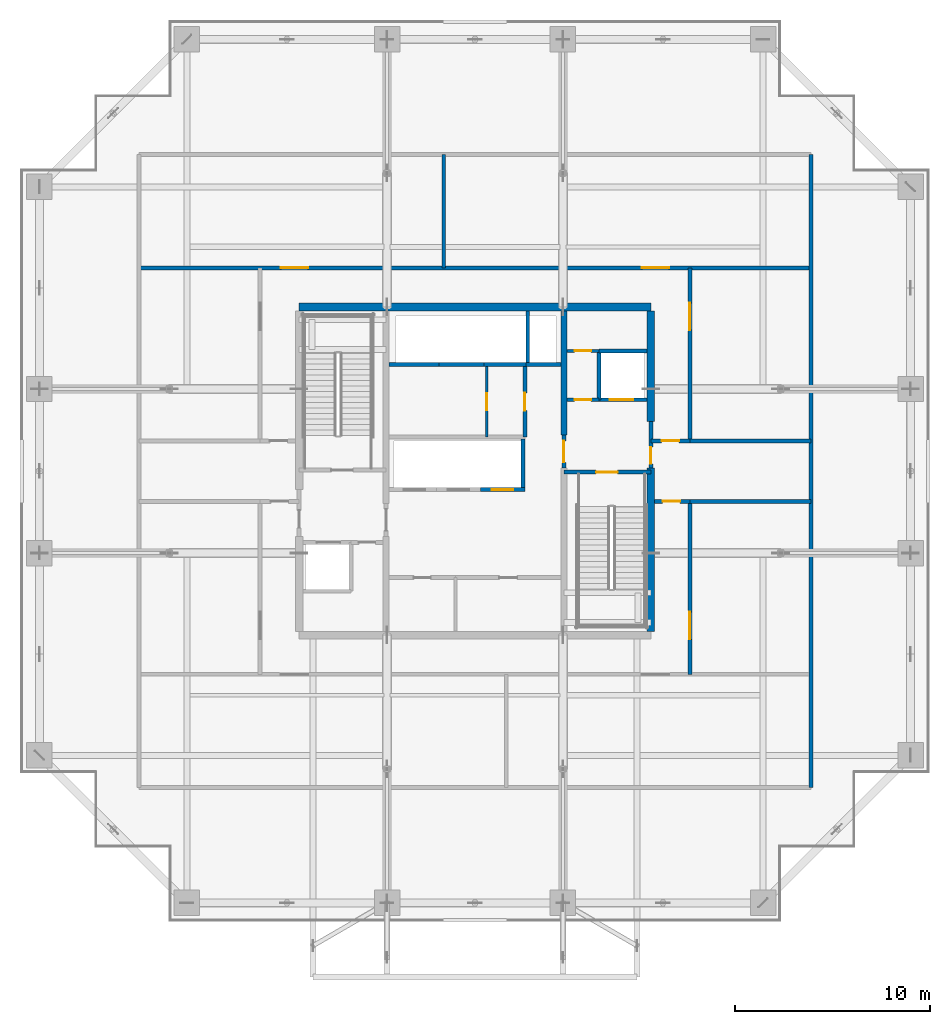
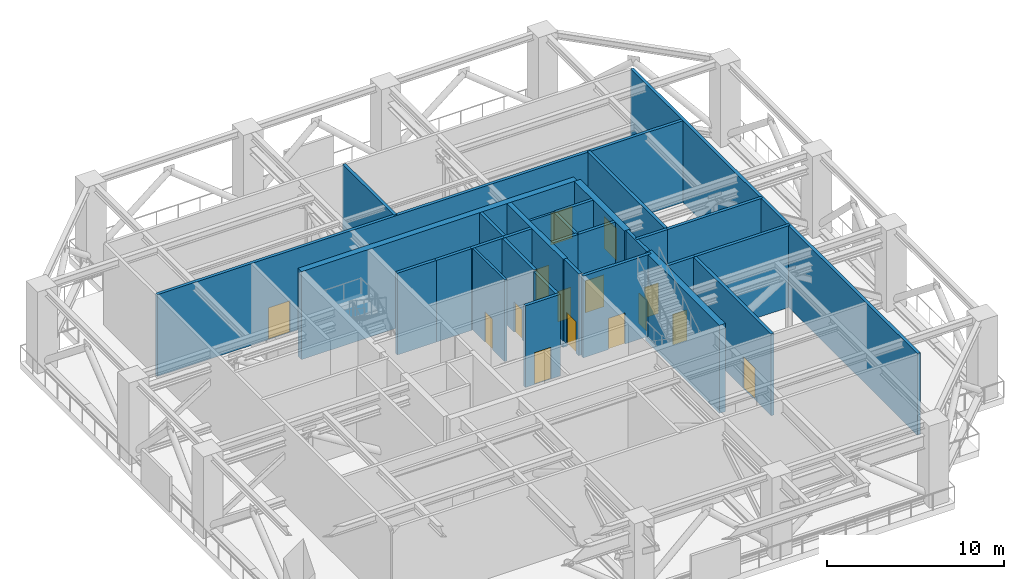
# One storey, part 16 of 22: 30 walls, 15 doors, 15 openings.
"""IFC4 building model written with IfcOpenShell, lengths in metres."""

import ifcopenshell
import ifcopenshell.guid

model = None  # the IFC model being written
_history = None  # IfcOwnerHistory: only IFC2X3 demands one
_inside = {}  # id of a spatial element -> (the spatial element, [elements in it])
_under = {}  # id of a project, library or spatial element -> (it, [spatial elements below it])
_declared = {}  # id of a project -> (the project, [libraries it declares])
_typed = {}  # id of a type object -> (the type object, [elements of that type])
_made_of = {}  # id of a material, layer set ... -> (it, [elements and type objects made of it])


def new_model(schema):
    """Start an empty IFC model of exactly this schema.

    Asked for "IFC4X3", IfcOpenShell would pick the latest addendum, in which some entities
    have other attributes; the version numbers below select the first issue.
    IFC2X3 requires an IfcOwnerHistory on every rooted entity: one is made here for all.
    """
    global model, _history
    if schema == "IFC4X3":
        model = ifcopenshell.file(schema_version=(4, 3, 0, 0))
    else:
        model = ifcopenshell.file(schema=schema)
    _inside.clear()
    _under.clear()
    _declared.clear()
    _typed.clear()
    _made_of.clear()
    _history = None
    if model.schema == "IFC2X3":
        org = make("IfcOrganization", Name="unknown")
        user = make(
            "IfcPersonAndOrganization",
            ThePerson=make("IfcPerson", FamilyName="unknown"),
            TheOrganization=org,
        )
        app = make(
            "IfcApplication",
            ApplicationDeveloper=org,
            Version="unknown",
            ApplicationFullName="unknown",
            ApplicationIdentifier="unknown",
        )
        _history = make(
            "IfcOwnerHistory",
            OwningUser=user,
            OwningApplication=app,
            ChangeAction="ADDED",
            CreationDate=0,
        )
    return model


def make(cls, **values):
    """One entity of the class cls with the attributes given. An attribute that is None is left unset."""
    return model.create_entity(
        cls, **{name: value for name, value in values.items() if value is not None}
    )


def rooted(cls, **values):
    """An entity with a GlobalId (a new one), such as an element, a storey or a relation."""
    return make(cls, GlobalId=ifcopenshell.guid.new(), OwnerHistory=_history, **values)


def si_unit(unit_type, name, prefix=None):
    """IfcSIUnit, for example si_unit("LENGTHUNIT", "METRE", prefix="MILLI")."""
    return make("IfcSIUnit", UnitType=unit_type, Prefix=prefix, Name=name)


def assignment(units):
    """IfcUnitAssignment: the units of a project."""
    return None if units is None else make("IfcUnitAssignment", Units=units)


def point(xyz):
    """IfcCartesianPoint."""
    return None if xyz is None else make("IfcCartesianPoint", Coordinates=xyz)


def direction(xyz):
    """IfcDirection."""
    return None if xyz is None else make("IfcDirection", DirectionRatios=xyz)


def frame(location, z_axis=None, x_axis=None):
    """IfcAxis2Placement3D, a coordinate frame: its origin and axes. An axis left out is left unset."""
    return make(
        "IfcAxis2Placement3D",
        Location=point(location),
        Axis=direction(z_axis),
        RefDirection=direction(x_axis),
    )


def frame_2d(location, x_axis=None):
    """IfcAxis2Placement2D, a coordinate frame in the plane: its origin and x axis."""
    return make(
        "IfcAxis2Placement2D", Location=point(location), RefDirection=direction(x_axis)
    )


def origin():
    """The frame at (0, 0, 0) with its axes left unset."""
    return frame((0.0, 0.0, 0.0))


def place(relative_to, where):
    """IfcLocalPlacement: puts the frame where relative to a parent placement (None: the world)."""
    return make(
        "IfcLocalPlacement", PlacementRelTo=relative_to, RelativePlacement=where
    )


def context(
    kind, dimensions, precision=None, world=None, true_north=None, identifier=None
):
    """IfcGeometricRepresentationContext, for example the 3D "Model" context."""
    return make(
        "IfcGeometricRepresentationContext",
        ContextIdentifier=identifier,
        ContextType=kind,
        CoordinateSpaceDimension=dimensions,
        Precision=precision,
        WorldCoordinateSystem=world,
        TrueNorth=true_north,
    )


def subcontext(parent, identifier, kind, view, scale=None):
    """IfcGeometricRepresentationSubContext, for example "Body" below "Model"."""
    return make(
        "IfcGeometricRepresentationSubContext",
        ContextIdentifier=identifier,
        ContextType=kind,
        ParentContext=parent,
        TargetScale=scale,
        TargetView=view,
    )


def project(units=None, contexts=None):
    """IfcProject with its units and contexts."""
    return rooted(
        "IfcProject",
        Name="project",
        RepresentationContexts=contexts,
        UnitsInContext=assignment(units),
    )


def spatial(cls, under=None, at=None, **own):
    """A site, building, storey or space (cls), placed at a placement, below another one or the project."""
    s = rooted(cls, ObjectPlacement=at, **own)
    if under is not None:
        _under.setdefault(under.id(), (under, []))[1].append(s)
    return s


def profile(cls, at=None, kind="AREA", **sizes):
    """A parametric profile (cls). Its sizes go by their IFC names, for example OverallWidth=200.0."""
    return make(cls, ProfileType=kind, Position=at, **sizes)


def rectangle(**sizes):
    """IfcRectangleProfileDef."""
    return profile("IfcRectangleProfileDef", **sizes)


def extrude(swept, where, along, depth):
    """IfcExtrudedAreaSolid: the profile swept, set in the frame where, extruded along a direction by depth."""
    return make(
        "IfcExtrudedAreaSolid",
        SweptArea=swept,
        Position=where,
        ExtrudedDirection=direction(along),
        Depth=depth,
    )


def shape(context_of_items, identifier, shape_type, items):
    """IfcShapeRepresentation: the items that make up one representation, for example the "Body"."""
    return make(
        "IfcShapeRepresentation",
        ContextOfItems=context_of_items,
        RepresentationIdentifier=identifier,
        RepresentationType=shape_type,
        Items=items,
    )


def source(mapping_origin, context_of_items, identifier, shape_type, items):
    """IfcRepresentationMap: a shape defined once, which mapped items show again and again."""
    return make(
        "IfcRepresentationMap",
        MappingOrigin=mapping_origin,
        MappedRepresentation=shape(context_of_items, identifier, shape_type, items),
    )


def transform(
    local_origin,
    x_axis=None,
    y_axis=None,
    z_axis=None,
    scale=None,
    scale2=None,
    scale3=None,
    uniform=True,
):
    """IfcCartesianTransformationOperator3D, or its non-uniform kind. x_axis, y_axis, z_axis: its Axis1, 2, 3."""
    if uniform:
        return make(
            "IfcCartesianTransformationOperator3D",
            Axis1=direction(x_axis),
            Axis2=direction(y_axis),
            LocalOrigin=point(local_origin),
            Scale=scale,
            Axis3=direction(z_axis),
        )
    return make(
        "IfcCartesianTransformationOperator3DnonUniform",
        Axis1=direction(x_axis),
        Axis2=direction(y_axis),
        LocalOrigin=point(local_origin),
        Scale=scale,
        Axis3=direction(z_axis),
        Scale2=scale2,
        Scale3=scale3,
    )


def mapped(mapping_source, mapping_target):
    """IfcMappedItem: shows the shape of a source again, moved by a transform."""
    return make(
        "IfcMappedItem", MappingSource=mapping_source, MappingTarget=mapping_target
    )


def material(Name=None, Category=None):
    """IfcMaterial."""
    return make("IfcMaterial", Name=Name, Category=Category)


def layer(
    of_material, thickness, ventilated=None, Name=None, Category=None, Priority=None
):
    """IfcMaterialLayer: one layer of a wall or slab, of a material (None: an air gap)."""
    return make(
        "IfcMaterialLayer",
        Material=of_material,
        LayerThickness=thickness,
        IsVentilated=ventilated,
        Name=Name,
        Category=Category,
        Priority=Priority,
    )


def layer_set(layers, Name=None):
    """IfcMaterialLayerSet."""
    return make("IfcMaterialLayerSet", MaterialLayers=layers, LayerSetName=Name)


def made_of(thing, what):
    """Note that an element or type object is made of a material, layer set ...; save() writes the relation."""
    if what is not None:
        _made_of.setdefault(what.id(), (what, []))[1].append(thing)
    return thing


def type_object(cls, material=None, **own):
    """A type object (cls), such as IfcWallType, which elements share."""
    return made_of(rooted(cls, **own), material)


def element(
    cls,
    number,
    at=None,
    inside=None,
    cuts=None,
    type_object=None,
    material=None,
    context=None,
    identifier="Body",
    shape_type=None,
    held_by="IfcProductDefinitionShape",
    body=None,
    shapes=None,
    **own,
):
    """One element of the class cls, such as IfcWall. Its Tag is "e" and its number.

    at: its placement. inside: the storey or other place that contains it. cuts: it is an
    opening in that element (IfcRelVoidsElement). A single representation is given by context,
    identifier, shape_type and body (its items); several are given by shapes. held_by: the class
    of the entity that holds the representations. save() writes the other relations.
    """
    e = rooted(cls, Tag="e%d" % number, ObjectPlacement=at, **own)
    if body is not None:
        shapes = [shape(context, identifier, shape_type, body)]
    if shapes is not None:
        e.Representation = make(held_by, Representations=shapes)
    if inside is not None:
        _inside.setdefault(inside.id(), (inside, []))[1].append(e)
    if cuts is not None:
        rooted(
            "IfcRelVoidsElement", RelatingBuildingElement=cuts, RelatedOpeningElement=e
        )
    if type_object is not None:
        _typed.setdefault(type_object.id(), (type_object, []))[1].append(e)
    return made_of(e, material)


def fill(opening, filler):
    """IfcRelFillsElement: the door or window that sits in an opening."""
    return rooted(
        "IfcRelFillsElement",
        RelatingOpeningElement=opening,
        RelatedBuildingElement=filler,
    )


def aggregate(whole, parts):
    """IfcRelAggregates: a whole, such as a stair, and the parts it consists of."""
    return rooted("IfcRelAggregates", RelatingObject=whole, RelatedObjects=parts)


def save(model, path):
    """Write the relations noted so far, then the file.

    IfcRelAggregates (storeys below a building ...), IfcRelContainedInSpatialStructure (elements
    in a storey), IfcRelDefinesByType, IfcRelAssociatesMaterial and IfcRelDeclares: one each for
    every whole, place, type object, material and project.
    """
    for whole, parts in _under.values():
        aggregate(whole, parts)
    for where, things in _inside.values():
        rooted(
            "IfcRelContainedInSpatialStructure",
            RelatedElements=things,
            RelatingStructure=where,
        )
    for kind, things in _typed.values():
        rooted("IfcRelDefinesByType", RelatedObjects=things, RelatingType=kind)
    for what, things in _made_of.values():
        rooted("IfcRelAssociatesMaterial", RelatedObjects=things, RelatingMaterial=what)
    for by, libraries in _declared.values():
        rooted("IfcRelDeclares", RelatingContext=by, RelatedDefinitions=libraries)
    model.write(path)


model = new_model("IFC4")

# Units and contexts
model_context = context("Model", 3, precision=1e-05, world=origin(), true_north=direction((0.0, 1.0)))
body_context = subcontext(model_context, "Body", "Model", "MODEL_VIEW")
ifc_project = project(units=[si_unit("LENGTHUNIT", "METRE"), si_unit("AREAUNIT", "SQUARE_METRE"), si_unit("VOLUMEUNIT", "CUBIC_METRE"), si_unit("PLANEANGLEUNIT", "RADIAN"), si_unit("MASSUNIT", "GRAM", prefix="KILO")], contexts=[model_context])

# Site, building, storey
site_placement = place(None, origin())
site = spatial("IfcSite", under=ifc_project, at=site_placement, CompositionType="ELEMENT")
building_placement = place(site_placement, origin())
building = spatial("IfcBuilding", under=site, at=building_placement, Name="Serunith Strait Residences", CompositionType="ELEMENT")
storey_placement = place(building_placement, frame((0.0, 0.0, 198.89990234375)))
storey = spatial("IfcBuildingStorey", under=building, at=storey_placement, Name="L50", CompositionType="ELEMENT", Elevation=198.89990234375)

# Wall, opening, door
ifc_material_1 = material(Name="Fire-rated masonry service closet wall", Category="masonry")
ifc_layer_1 = layer(ifc_material_1, 0.14990234375, Name="Fire-rated masonry service closet wall")
ifc_layer_set_1 = layer_set([ifc_layer_1], Name="Fire-rated masonry service closet wall")
wall_type_1 = type_object("IfcWallType", Name="IW-BOH-150", PredefinedType="PARTITIONING", material=ifc_layer_set_1)
wall_1_placement = place(storey_placement, frame((37.10009765625, 31.35009765625, 0.0), z_axis=(0.0, 0.0, 1.0), x_axis=(1.0, 0.0, 0.0)))
wall_1 = element("IfcWall", 1, at=wall_1_placement, inside=storey, type_object=wall_type_1, Name="L50 Partition Wall 012", PredefinedType="PARTITIONING", context=body_context, shape_type="SweptSolid", body=[
    extrude(rectangle(XDim=1.64794921875, YDim=0.14990234375, at=frame_2d((0.823974609375, 0.0))), origin(), (0.0, 0.0, 1.0), 5.64013671875),
])
opening_1_placement = place(wall_1_placement, frame((0.39892578125, 0.0, 0.0)))
opening_1 = element("IfcOpeningElement", 2, at=opening_1_placement, cuts=wall_1, Name="Opening FD-850", PredefinedType="OPENING", context=body_context, shape_type="SweptSolid", body=[
    extrude(rectangle(XDim=0.85009765625, YDim=2.10009765625, at=frame_2d((0.425048828125, 1.050048828125))), frame((0.0, 0.0849609375, 0.0), z_axis=(0.0, -1.0, 0.0), x_axis=(1.0, 0.0, 0.0)), (0.0, 0.0, 1.0), 0.169921875),
])
ifc_material_2 = material(Name="Powder-coated steel service closet door", Category="steel")
door_type_1 = type_object("IfcDoorType", Name="FD-BOH-850", OperationType="NOTDEFINED", PredefinedType="DOOR", material=ifc_material_2)
shared_shape_1 = source(origin(), body_context, "Body", "SweptSolid", [
    extrude(rectangle(XDim=0.85009765625, YDim=2.10009765625, at=frame_2d((0.425048828125, 1.050048828125))), frame((0.0, 0.02490234375, 0.0), z_axis=(0.0, -1.0, 0.0), x_axis=(1.0, 0.0, 0.0)), (0.0, 0.0, 1.0), 0.050048828125),
])
door_1_placement = place(opening_1_placement, origin())
door_1 = element("IfcDoor", 3, at=door_1_placement, inside=storey, type_object=door_type_1, Name="L50 Spare Parts Store Door", OperationType="SINGLE_SWING_RIGHT", OverallHeight=2.10009765625, OverallWidth=0.85009765625, PredefinedType="DOOR", context=body_context, shape_type="MappedRepresentation", body=[
    mapped(shared_shape_1, transform((0.0, 0.0, 0.0), scale=1.0)),
])
fill(opening_1, door_1)

wall_2_placement = place(storey_placement, frame((33.0, 26.949951171875, 0.0), z_axis=(0.0, 0.0, 1.0), x_axis=(0.0, 1.0, 0.0)))
wall_2 = element("IfcWall", 4, at=wall_2_placement, inside=storey, type_object=wall_type_1, Name="L50 Partition Wall 014", PredefinedType="PARTITIONING", context=body_context, shape_type="SweptSolid", body=[
    extrude(rectangle(XDim=3.60009765625, YDim=0.14990234375, at=frame_2d((1.800048828125, 0.0))), origin(), (0.0, 0.0, 1.0), 5.64013671875),
])
opening_2_placement = place(wall_2_placement, frame((1.375, 0.0, 0.0)))
opening_2 = element("IfcOpeningElement", 5, at=opening_2_placement, cuts=wall_2, Name="Opening FD-850", PredefinedType="OPENING", context=body_context, shape_type="SweptSolid", body=[
    extrude(rectangle(XDim=0.85009765625, YDim=2.10009765625, at=frame_2d((0.425048828125, 1.050048828125))), frame((0.0, 0.0849609375, 0.0), z_axis=(0.0, -1.0, 0.0), x_axis=(1.0, 0.0, 0.0)), (0.0, 0.0, 1.0), 0.169921875),
])
door_2_placement = place(opening_2_placement, origin())
door_2 = element("IfcDoor", 6, at=door_2_placement, inside=storey, type_object=door_type_1, Name="L50 LV Switchgear Door", OperationType="SINGLE_SWING_RIGHT", OverallHeight=2.10009765625, OverallWidth=0.85009765625, PredefinedType="DOOR", context=body_context, shape_type="MappedRepresentation", body=[
    mapped(shared_shape_1, transform((0.0, 0.0, 0.0), scale=1.0)),
])
fill(opening_2, door_2)

# Wall
ifc_material_3 = material(Name="Acoustic concrete block plant wall", Category="concrete")
ifc_layer_2 = layer(ifc_material_3, 0.199951171875, Name="Acoustic concrete block plant wall")
ifc_layer_set_2 = layer_set([ifc_layer_2], Name="Acoustic concrete block plant wall")
wall_type_2 = type_object("IfcWallType", Name="IW-PLANT-200", PredefinedType="STANDARD", material=ifc_layer_set_2)
wall_3_placement = place(storey_placement, frame((49.60009765625, 9.0, 0.0), z_axis=(0.0, 0.0, 1.0), x_axis=(0.0, 1.0, 0.0)))
element("IfcWall", 7, at=wall_3_placement, inside=storey, type_object=wall_type_2, Name="L50 Partition Wall 021", PredefinedType="STANDARD", context=body_context, shape_type="SweptSolid", body=[
    extrude(rectangle(XDim=32.39990234375, YDim=0.199951171875, at=frame_2d((16.199951171875, 0.0))), origin(), (0.0, 0.0, 1.0), 5.64013671875),
])

# Wall, opening, door
wall_4_placement = place(storey_placement, frame((41.60009765625, 23.64990234375, 0.0), z_axis=(0.0, 0.0, 1.0), x_axis=(1.0, 0.0, 0.0)))
wall_4 = element("IfcWall", 8, at=wall_4_placement, inside=storey, type_object=wall_type_2, Name="L50 Partition Wall 026", PredefinedType="STANDARD", context=body_context, shape_type="SweptSolid", body=[
    extrude(rectangle(XDim=1.7998046875, YDim=0.199951171875, at=frame_2d((0.89990234375, 0.0))), origin(), (0.0, 0.0, 1.0), 5.64013671875),
])
opening_3_placement = place(wall_4_placement, frame((0.39990234375, 0.0, 0.0)))
opening_3 = element("IfcOpeningElement", 9, at=opening_3_placement, cuts=wall_4, Name="Opening FD-900", PredefinedType="OPENING", context=body_context, shape_type="SweptSolid", body=[
    extrude(rectangle(XDim=0.89990234375, YDim=2.10009765625, at=frame_2d((0.449951171875, 1.050048828125))), frame((0.0, 0.10986328125, 0.0), z_axis=(0.0, -1.0, 0.0), x_axis=(1.0, 0.0, 0.0)), (0.0, 0.0, 1.0), 0.219970703125),
])
ifc_material_4 = material(Name="Powder-coated steel riser door", Category="steel")
door_type_2 = type_object("IfcDoorType", Name="FD-BOH-900", OperationType="NOTDEFINED", PredefinedType="DOOR", material=ifc_material_4)
shared_shape_2 = source(origin(), body_context, "Body", "SweptSolid", [
    extrude(rectangle(XDim=0.89990234375, YDim=2.10009765625, at=frame_2d((0.449951171875, 1.050048828125))), frame((0.0, 0.02490234375, 0.0), z_axis=(0.0, -1.0, 0.0), x_axis=(1.0, 0.0, 0.0)), (0.0, 0.0, 1.0), 0.050048828125),
])
door_3_placement = place(opening_3_placement, origin())
door_3 = element("IfcDoor", 10, at=door_3_placement, inside=storey, type_object=door_type_2, Name="L50 South-East Plant Corridor Door", OperationType="SINGLE_SWING_LEFT", OverallHeight=2.10009765625, OverallWidth=0.89990234375, PredefinedType="DOOR", context=body_context, shape_type="MappedRepresentation", body=[
    mapped(shared_shape_2, transform((0.0, 0.0, 0.0), scale=1.0)),
])
fill(opening_3, door_3)

# Wall
wall_5_placement = place(storey_placement, frame((43.402099609375, 23.64990234375, 0.0), z_axis=(0.0, 0.0, 1.0), x_axis=(1.0, 0.0, 0.0)))
element("IfcWall", 11, at=wall_5_placement, inside=storey, type_object=wall_type_2, Name="L50 Partition Wall 027", PredefinedType="STANDARD", context=body_context, shape_type="SweptSolid", body=[
    extrude(rectangle(XDim=6.197998046875, YDim=0.199951171875, at=frame_2d((3.09912109375, 0.0))), origin(), (0.0, 0.0, 1.0), 5.64013671875),
])

# Wall, opening, door
wall_6_placement = place(storey_placement, frame((41.39990234375, 26.75, 0.0), z_axis=(0.0, 0.0, 1.0), x_axis=(1.0, 0.0, 0.0)))
wall_6 = element("IfcWall", 12, at=wall_6_placement, inside=storey, type_object=wall_type_2, Name="L50 Partition Wall 028", PredefinedType="STANDARD", context=body_context, shape_type="SweptSolid", body=[
    extrude(rectangle(XDim=2.0, YDim=0.199951171875, at=frame_2d((1.0, 0.0))), origin(), (0.0, 0.0, 1.0), 5.64013671875),
])
opening_4_placement = place(wall_6_placement, frame((0.550048828125, 0.0, 0.0)))
opening_4 = element("IfcOpeningElement", 13, at=opening_4_placement, cuts=wall_6, Name="Opening FD-900", PredefinedType="OPENING", context=body_context, shape_type="SweptSolid", body=[
    extrude(rectangle(XDim=0.89990234375, YDim=2.10009765625, at=frame_2d((0.449951171875, 1.050048828125))), frame((0.0, 0.10986328125, 0.0), z_axis=(0.0, -1.0, 0.0), x_axis=(1.0, 0.0, 0.0)), (0.0, 0.0, 1.0), 0.219970703125),
])
door_4_placement = place(opening_4_placement, origin())
door_4 = element("IfcDoor", 14, at=door_4_placement, inside=storey, type_object=door_type_2, Name="L50 North-East Plant Corridor Door", OperationType="SINGLE_SWING_RIGHT", OverallHeight=2.10009765625, OverallWidth=0.89990234375, PredefinedType="DOOR", context=body_context, shape_type="MappedRepresentation", body=[
    mapped(shared_shape_2, transform((0.0, 0.0, 0.0), scale=1.0)),
])
fill(opening_4, door_4)

# Wall
wall_7_placement = place(storey_placement, frame((43.402099609375, 26.75, 0.0), z_axis=(0.0, 0.0, 1.0), x_axis=(1.0, 0.0, 0.0)))
element("IfcWall", 15, at=wall_7_placement, inside=storey, type_object=wall_type_2, Name="L50 Partition Wall 029", PredefinedType="STANDARD", context=body_context, shape_type="SweptSolid", body=[
    extrude(rectangle(XDim=6.197998046875, YDim=0.199951171875, at=frame_2d((3.09912109375, 0.0))), origin(), (0.0, 0.0, 1.0), 5.64013671875),
])

# Wall, openings, doors
wall_8_placement = place(storey_placement, frame((15.199951171875, 35.60009765625, 0.0), z_axis=(0.0, 0.0, 1.0), x_axis=(1.0, 0.0, 0.0)))
wall_8 = element("IfcWall", 16, at=wall_8_placement, inside=storey, type_object=wall_type_2, Name="L50 Partition Wall 031", PredefinedType="STANDARD", context=body_context, shape_type="SweptSolid", body=[
    extrude(rectangle(XDim=34.400146484375, YDim=0.199951171875, at=frame_2d((17.2001953125, 0.0))), origin(), (0.0, 0.0, 1.0), 5.64013671875),
])
opening_5_placement = place(wall_8_placement, frame((7.260009765625, 0.0, 0.0)))
opening_5 = element("IfcOpeningElement", 17, at=opening_5_placement, cuts=wall_8, Name="Opening FD-1400", PredefinedType="OPENING", context=body_context, shape_type="SweptSolid", body=[
    extrude(rectangle(XDim=1.39990234375, YDim=2.199951171875, at=frame_2d((0.699951171875, 1.10009765625))), frame((0.0, 0.10986328125, 0.0), z_axis=(0.0, -1.0, 0.0), x_axis=(1.0, 0.0, 0.0)), (0.0, 0.0, 1.0), 0.219970703125),
])
opening_6_placement = place(wall_8_placement, frame((25.739990234375, 0.0, 0.0)))
opening_6 = element("IfcOpeningElement", 18, at=opening_6_placement, cuts=wall_8, Name="Opening FD-1400", PredefinedType="OPENING", context=body_context, shape_type="SweptSolid", body=[
    extrude(rectangle(XDim=1.39990234375, YDim=2.199951171875, at=frame_2d((0.699951171875, 1.10009765625))), frame((0.0, 0.10986328125, 0.0), z_axis=(0.0, -1.0, 0.0), x_axis=(1.0, 0.0, 0.0)), (0.0, 0.0, 1.0), 0.219970703125),
])
ifc_material_5 = material(Name="Acoustic double-skin steel plant door", Category="steel")
door_type_3 = type_object("IfcDoorType", Name="FD-PLANT-1400", OperationType="DOUBLE_DOOR_SINGLE_SWING", PredefinedType="DOOR", material=ifc_material_5)
shared_shape_3 = source(origin(), body_context, "Body", "SweptSolid", [
    extrude(rectangle(XDim=1.39990234375, YDim=2.199951171875, at=frame_2d((0.699951171875, 1.10009765625))), frame((0.0, 0.02490234375, 0.0), z_axis=(0.0, -1.0, 0.0), x_axis=(1.0, 0.0, 0.0)), (0.0, 0.0, 1.0), 0.050048828125),
])
door_5_placement = place(opening_5_placement, origin())
door_5 = element("IfcDoor", 19, at=door_5_placement, inside=storey, type_object=door_type_3, Name="L50 Booster Pump Plant Door", OperationType="DOUBLE_DOOR_SINGLE_SWING", OverallHeight=2.199951171875, OverallWidth=1.39990234375, PredefinedType="DOOR", context=body_context, shape_type="MappedRepresentation", body=[
    mapped(shared_shape_3, transform((0.0, 0.0, 0.0), scale=1.0)),
])
fill(opening_5, door_5)
door_6_placement = place(opening_6_placement, origin())
door_6 = element("IfcDoor", 20, at=door_6_placement, inside=storey, type_object=door_type_3, Name="L50 Switchgear Plant Door", OperationType="DOUBLE_DOOR_SINGLE_SWING", OverallHeight=2.199951171875, OverallWidth=1.39990234375, PredefinedType="DOOR", context=body_context, shape_type="MappedRepresentation", body=[
    mapped(shared_shape_3, transform((0.0, 0.0, 0.0), scale=1.0)),
])
fill(opening_6, door_6)

# Wall
wall_9_placement = place(storey_placement, frame((30.800048828125, 35.60009765625, 0.0), z_axis=(0.0, 0.0, 1.0), x_axis=(0.0, 1.0, 0.0)))
element("IfcWall", 21, at=wall_9_placement, inside=storey, type_object=wall_type_2, Name="L50 Partition Wall 033", PredefinedType="STANDARD", context=body_context, shape_type="SweptSolid", body=[
    extrude(rectangle(XDim=5.7998046875, YDim=0.199951171875, at=frame_2d((2.89990234375, 0.0))), origin(), (0.0, 0.0, 1.0), 5.64013671875),
])

# Wall, opening, door
wall_10_placement = place(storey_placement, frame((43.39990234375, 14.800048828125, 0.0), z_axis=(0.0, 0.0, 1.0), x_axis=(0.0, 1.0, 0.0)))
wall_10 = element("IfcWall", 22, at=wall_10_placement, inside=storey, type_object=wall_type_2, Name="L50 Partition Wall 036", PredefinedType="STANDARD", context=body_context, shape_type="SweptSolid", body=[
    extrude(rectangle(XDim=8.849853515625, YDim=0.199951171875, at=frame_2d((4.4248046875, 0.0))), origin(), (0.0, 0.0, 1.0), 5.64013671875),
])
opening_7_placement = place(wall_10_placement, frame((1.7880859375, 0.0, 0.0)))
opening_7 = element("IfcOpeningElement", 23, at=opening_7_placement, cuts=wall_10, Name="Opening FD-1400", PredefinedType="OPENING", context=body_context, shape_type="SweptSolid", body=[
    extrude(rectangle(XDim=1.39990234375, YDim=2.199951171875, at=frame_2d((0.699951171875, 1.10009765625))), frame((0.0, 0.10986328125, 0.0), z_axis=(0.0, -1.0, 0.0), x_axis=(1.0, 0.0, 0.0)), (0.0, 0.0, 1.0), 0.219970703125),
])
door_7_placement = place(opening_7_placement, origin())
door_7 = element("IfcDoor", 24, at=door_7_placement, inside=storey, type_object=door_type_3, Name="L50 South-East Fan Plant Door", OperationType="DOUBLE_DOOR_SINGLE_SWING", OverallHeight=2.199951171875, OverallWidth=1.39990234375, PredefinedType="DOOR", context=body_context, shape_type="MappedRepresentation", body=[
    mapped(shared_shape_3, transform((0.0, 0.0, 0.0), scale=1.0)),
])
fill(opening_7, door_7)

wall_11_placement = place(storey_placement, frame((43.39990234375, 26.75, 0.0), z_axis=(0.0, 0.0, 1.0), x_axis=(0.0, 1.0, 0.0)))
wall_11 = element("IfcWall", 25, at=wall_11_placement, inside=storey, type_object=wall_type_2, Name="L50 Partition Wall 037", PredefinedType="STANDARD", context=body_context, shape_type="SweptSolid", body=[
    extrude(rectangle(XDim=8.85009765625, YDim=0.199951171875, at=frame_2d((4.425048828125, 0.0))), origin(), (0.0, 0.0, 1.0), 5.64013671875),
])
opening_8_placement = place(wall_11_placement, frame((5.662109375, 0.0, 0.0)))
opening_8 = element("IfcOpeningElement", 26, at=opening_8_placement, cuts=wall_11, Name="Opening FD-1400", PredefinedType="OPENING", context=body_context, shape_type="SweptSolid", body=[
    extrude(rectangle(XDim=1.39990234375, YDim=2.199951171875, at=frame_2d((0.699951171875, 1.10009765625))), frame((0.0, 0.10986328125, 0.0), z_axis=(0.0, -1.0, 0.0), x_axis=(1.0, 0.0, 0.0)), (0.0, 0.0, 1.0), 0.219970703125),
])
door_8_placement = place(opening_8_placement, origin())
door_8 = element("IfcDoor", 27, at=door_8_placement, inside=storey, type_object=door_type_3, Name="L50 North-East Fan Plant Door", OperationType="DOUBLE_DOOR_SINGLE_SWING", OverallHeight=2.199951171875, OverallWidth=1.39990234375, PredefinedType="DOOR", context=body_context, shape_type="MappedRepresentation", body=[
    mapped(shared_shape_3, transform((0.0, 0.0, 0.0), scale=1.0)),
])
fill(opening_8, door_8)

ifc_material_6 = material(Name="Autoclaved aerated concrete blockwork", Category="masonry")
ifc_layer_3 = layer(ifc_material_6, 0.199951171875, Name="Autoclaved aerated concrete blockwork")
ifc_layer_set_3 = layer_set([ifc_layer_3], Name="Autoclaved aerated concrete blockwork")
wall_type_3 = type_object("IfcWallType", Name="IW-SHAFT-200", PredefinedType="STANDARD", material=ifc_layer_set_3)
wall_12_placement = place(storey_placement, frame((36.949951171875, 25.14990234375, 0.0), z_axis=(0.0, 0.0, 1.0), x_axis=(1.0, 0.0, 0.0)))
wall_12 = element("IfcWall", 28, at=wall_12_placement, inside=storey, type_object=wall_type_3, Name="L50 ST-2 North Shaft Wall", PredefinedType="STANDARD", context=body_context, shape_type="SweptSolid", body=[
    extrude(rectangle(XDim=4.449951171875, YDim=0.199951171875, at=frame_2d((2.22509765625, 0.0))), origin(), (0.0, 0.0, 1.0), 5.64013671875),
])
opening_9_placement = place(wall_12_placement, frame((1.64990234375, 0.0, 0.0)))
opening_9 = element("IfcOpeningElement", 29, at=opening_9_placement, cuts=wall_12, Name="Opening FD-1100", PredefinedType="OPENING", context=body_context, shape_type="SweptSolid", body=[
    extrude(rectangle(XDim=1.10009765625, YDim=2.14990234375, at=frame_2d((0.550048828125, 1.074951171875))), frame((0.0, 0.10986328125, 0.0), z_axis=(0.0, -1.0, 0.0), x_axis=(1.0, 0.0, 0.0)), (0.0, 0.0, 1.0), 0.219970703125),
])
ifc_material_7 = material(Name="Galvanised steel fire door leaf", Category="steel")
door_type_4 = type_object("IfcDoorType", Name="FD-STAIR-1100", OperationType="NOTDEFINED", PredefinedType="DOOR", material=ifc_material_7)
shared_shape_4 = source(origin(), body_context, "Body", "SweptSolid", [
    extrude(rectangle(XDim=1.10009765625, YDim=2.14990234375, at=frame_2d((0.550048828125, 1.074951171875))), frame((0.0, 0.02490234375, 0.0), z_axis=(0.0, -1.0, 0.0), x_axis=(1.0, 0.0, 0.0)), (0.0, 0.0, 1.0), 0.050048828125),
])
door_9_placement = place(opening_9_placement, origin())
door_9 = element("IfcDoor", 30, at=door_9_placement, inside=storey, type_object=door_type_4, Name="L50 ST-2 Escape Stair Door", OperationType="SINGLE_SWING_LEFT", OverallHeight=2.14990234375, OverallWidth=1.10009765625, PredefinedType="DOOR", context=body_context, shape_type="MappedRepresentation", body=[
    mapped(shared_shape_4, transform((0.0, 0.0, 0.0), scale=1.0)),
])
fill(opening_9, door_9)

wall_13_placement = place(storey_placement, frame((38.75, 28.85009765625, 0.0), z_axis=(0.0, 0.0, 1.0), x_axis=(1.0, 0.0, 0.0)))
wall_13 = element("IfcWall", 31, at=wall_13_placement, inside=storey, type_object=wall_type_3, Name="L50 FL-2 South Shaft Wall", PredefinedType="STANDARD", context=body_context, shape_type="SweptSolid", body=[
    extrude(rectangle(XDim=2.449951171875, YDim=0.199951171875, at=frame_2d((1.22509765625, 0.0))), origin(), (0.0, 0.0, 1.0), 5.64013671875),
])
opening_10_placement = place(wall_13_placement, frame((0.550048828125, 0.0, 0.0)))
opening_10 = element("IfcOpeningElement", 32, at=opening_10_placement, cuts=wall_13, Name="Opening LD-FF1200", PredefinedType="OPENING", context=body_context, shape_type="SweptSolid", body=[
    extrude(rectangle(XDim=1.199951171875, YDim=2.199951171875, at=frame_2d((0.60009765625, 1.10009765625))), frame((0.0, 0.10986328125, 0.0), z_axis=(0.0, -1.0, 0.0), x_axis=(1.0, 0.0, 0.0)), (0.0, 0.0, 1.0), 0.219970703125),
])
ifc_material_8 = material(Name="Brushed stainless steel landing door", Category="steel")
door_type_5 = type_object("IfcDoorType", Name="LD-FF-1200", OperationType="DOUBLE_DOOR_SLIDING", PredefinedType="DOOR", material=ifc_material_8)
shared_shape_5 = source(origin(), body_context, "Body", "SweptSolid", [
    extrude(rectangle(XDim=1.199951171875, YDim=2.199951171875, at=frame_2d((0.60009765625, 1.10009765625))), frame((0.0, 0.02490234375, 0.0), z_axis=(0.0, -1.0, 0.0), x_axis=(1.0, 0.0, 0.0)), (0.0, 0.0, 1.0), 0.050048828125),
])
door_10_placement = place(opening_10_placement, origin())
door_10 = element("IfcDoor", 33, at=door_10_placement, inside=storey, type_object=door_type_5, Name="L50 FL-2 Landing Door", OperationType="DOUBLE_DOOR_SLIDING", OverallHeight=2.199951171875, OverallWidth=1.199951171875, PredefinedType="DOOR", context=body_context, shape_type="MappedRepresentation", body=[
    mapped(shared_shape_5, transform((0.0, 0.0, 0.0), scale=1.0)),
])
fill(opening_10, door_10)

wall_14_placement = place(storey_placement, frame((32.675048828125, 24.25, 0.0), z_axis=(0.0, 0.0, 1.0), x_axis=(1.0, 0.0, 0.0)))
wall_14 = element("IfcWall", 34, at=wall_14_placement, inside=storey, type_object=wall_type_3, Name="L50 PL-6 South Shaft Wall", PredefinedType="STANDARD", context=body_context, shape_type="SweptSolid", body=[
    extrude(rectangle(XDim=2.27490234375, YDim=0.199951171875, at=frame_2d((1.137451171875, 0.0))), origin(), (0.0, 0.0, 1.0), 5.64013671875),
])
opening_11_placement = place(wall_14_placement, frame((0.574951171875, 0.0, 0.0)))
opening_11 = element("IfcOpeningElement", 35, at=opening_11_placement, cuts=wall_14, Name="Opening LD-1100", PredefinedType="OPENING", context=body_context, shape_type="SweptSolid", body=[
    extrude(rectangle(XDim=1.10009765625, YDim=2.199951171875, at=frame_2d((0.550048828125, 1.10009765625))), frame((0.0, 0.10986328125, 0.0), z_axis=(0.0, -1.0, 0.0), x_axis=(1.0, 0.0, 0.0)), (0.0, 0.0, 1.0), 0.219970703125),
])
ifc_material_9 = material(Name="Pale-champagne stainless landing door")
door_type_6 = type_object("IfcDoorType", Name="LD-LIFT-1100", OperationType="DOUBLE_DOOR_SLIDING", PredefinedType="DOOR", material=ifc_material_9)
shared_shape_6 = source(origin(), body_context, "Body", "SweptSolid", [
    extrude(rectangle(XDim=1.10009765625, YDim=2.199951171875, at=frame_2d((0.550048828125, 1.10009765625))), frame((0.0, 0.02490234375, 0.0), z_axis=(0.0, -1.0, 0.0), x_axis=(1.0, 0.0, 0.0)), (0.0, 0.0, 1.0), 0.050048828125),
])
door_11_placement = place(opening_11_placement, origin())
door_11 = element("IfcDoor", 36, at=door_11_placement, inside=storey, type_object=door_type_6, Name="L50 PL-6 Landing Door", OperationType="DOUBLE_DOOR_SLIDING", OverallHeight=2.199951171875, OverallWidth=1.10009765625, PredefinedType="DOOR", context=body_context, shape_type="MappedRepresentation", body=[
    mapped(shared_shape_6, transform((0.0, 0.0, 0.0), scale=1.0)),
])
fill(opening_11, door_11)

# Walls
wall_15_placement = place(storey_placement, frame((34.85009765625, 24.35009765625, 0.0), z_axis=(0.0, 0.0, 1.0), x_axis=(0.0, 1.0, 0.0)))
element("IfcWall", 37, at=wall_15_placement, inside=storey, type_object=wall_type_3, Name="L50 PL-6 East Shaft Wall", PredefinedType="STANDARD", context=body_context, shape_type="SweptSolid", body=[
    extrude(rectangle(XDim=2.5, YDim=0.199951171875, at=frame_2d((1.25, 0.0))), origin(), (0.0, 0.0, 1.0), 5.64013671875),
])
wall_16_placement = place(storey_placement, frame((28.0, 30.64990234375, 0.0), z_axis=(0.0, 0.0, 1.0), x_axis=(1.0, 0.0, 0.0)))
element("IfcWall", 38, at=wall_16_placement, inside=storey, type_object=wall_type_3, Name="L50 PL-7 South Shaft Wall", PredefinedType="STANDARD", context=body_context, shape_type="SweptSolid", body=[
    extrude(rectangle(XDim=2.550048828125, YDim=0.199951171875, at=frame_2d((1.27490234375, 0.0))), origin(), (0.0, 0.0, 1.0), 5.64013671875),
])
wall_17_placement = place(storey_placement, frame((30.550048828125, 30.64990234375, 0.0), z_axis=(0.0, 0.0, 1.0), x_axis=(1.0, 0.0, 0.0)))
element("IfcWall", 39, at=wall_17_placement, inside=storey, type_object=wall_type_3, Name="L50 PL-8 South Shaft Wall", PredefinedType="STANDARD", context=body_context, shape_type="SweptSolid", body=[
    extrude(rectangle(XDim=2.300048828125, YDim=0.199951171875, at=frame_2d((1.14990234375, 0.0))), origin(), (0.0, 0.0, 1.0), 5.64013671875),
])
wall_18_placement = place(storey_placement, frame((32.85009765625, 30.64990234375, 0.0), z_axis=(0.0, 0.0, 1.0), x_axis=(1.0, 0.0, 0.0)))
element("IfcWall", 40, at=wall_18_placement, inside=storey, type_object=wall_type_3, Name="L50 PL-9 South Shaft Wall", PredefinedType="STANDARD", context=body_context, shape_type="SweptSolid", body=[
    extrude(rectangle(XDim=2.14990234375, YDim=0.199951171875, at=frame_2d((1.074951171875, 0.0))), origin(), (0.0, 0.0, 1.0), 5.64013671875),
])
wall_19_placement = place(storey_placement, frame((35.0, 30.64990234375, 0.0), z_axis=(0.0, 0.0, 1.0), x_axis=(1.0, 0.0, 0.0)))
element("IfcWall", 41, at=wall_19_placement, inside=storey, type_object=wall_type_3, Name="L50 SL-1 South Shaft Wall", PredefinedType="STANDARD", context=body_context, shape_type="SweptSolid", body=[
    extrude(rectangle(XDim=1.800048828125, YDim=0.199951171875, at=frame_2d((0.89990234375, 0.0))), origin(), (0.0, 0.0, 1.0), 5.64013671875),
])
wall_20_placement = place(storey_placement, frame((35.10009765625, 30.75, 0.0), z_axis=(0.0, 0.0, 1.0), x_axis=(0.0, 1.0, 0.0)))
element("IfcWall", 42, at=wall_20_placement, inside=storey, type_object=wall_type_3, Name="L50 SL-1 West Shaft Wall", PredefinedType="STANDARD", context=body_context, shape_type="SweptSolid", body=[
    extrude(rectangle(XDim=2.64990234375, YDim=0.199951171875, at=frame_2d((1.324951171875, 0.0))), origin(), (0.0, 0.0, 1.0), 5.64013671875),
])
wall_21_placement = place(storey_placement, frame((38.75, 28.85009765625, 0.0), z_axis=(0.0, 0.0, 1.0), x_axis=(0.0, 1.0, 0.0)))
element("IfcWall", 43, at=wall_21_placement, inside=storey, type_object=wall_type_3, Name="L50 Partition Wall 004", PredefinedType="STANDARD", context=body_context, shape_type="SweptSolid", body=[
    extrude(rectangle(XDim=2.5, YDim=0.199951171875, at=frame_2d((1.25, 0.0))), origin(), (0.0, 0.0, 1.0), 5.64013671875),
])
wall_22_placement = place(storey_placement, frame((38.75, 31.35009765625, 0.0), z_axis=(0.0, 0.0, 1.0), x_axis=(1.0, 0.0, 0.0)))
element("IfcWall", 44, at=wall_22_placement, inside=storey, type_object=wall_type_3, Name="L50 Partition Wall 005", PredefinedType="STANDARD", context=body_context, shape_type="SweptSolid", body=[
    extrude(rectangle(XDim=2.449951171875, YDim=0.199951171875, at=frame_2d((1.22509765625, 0.0))), origin(), (0.0, 0.0, 1.0), 5.64013671875),
])

# Wall, opening, door
wall_23_placement = place(storey_placement, frame((37.10009765625, 28.85009765625, 0.0), z_axis=(0.0, 0.0, 1.0), x_axis=(1.0, 0.0, 0.0)))
wall_23 = element("IfcWall", 45, at=wall_23_placement, inside=storey, type_object=wall_type_3, Name="L50 Partition Wall 006", PredefinedType="STANDARD", context=body_context, shape_type="SweptSolid", body=[
    extrude(rectangle(XDim=1.64794921875, YDim=0.199951171875, at=frame_2d((0.823974609375, 0.0))), origin(), (0.0, 0.0, 1.0), 5.64013671875),
])
opening_12_placement = place(wall_23_placement, frame((0.39892578125, 0.0, 0.0)))
opening_12 = element("IfcOpeningElement", 46, at=opening_12_placement, cuts=wall_23, Name="Opening FD-850", PredefinedType="OPENING", context=body_context, shape_type="SweptSolid", body=[
    extrude(rectangle(XDim=0.85009765625, YDim=2.10009765625, at=frame_2d((0.425048828125, 1.050048828125))), frame((0.0, 0.10986328125, 0.0), z_axis=(0.0, -1.0, 0.0), x_axis=(1.0, 0.0, 0.0)), (0.0, 0.0, 1.0), 0.219970703125),
])
door_12_placement = place(opening_12_placement, origin())
door_12 = element("IfcDoor", 47, at=door_12_placement, inside=storey, type_object=door_type_1, Name="L50 North-East Core Service Door", OperationType="SINGLE_SWING_LEFT", OverallHeight=2.10009765625, OverallWidth=0.85009765625, PredefinedType="DOOR", context=body_context, shape_type="MappedRepresentation", body=[
    mapped(shared_shape_1, transform((0.0, 0.0, 0.0), scale=1.0)),
])
fill(opening_12, door_12)

wall_24_placement = place(storey_placement, frame((41.39990234375, 25.35205078125, 0.0), z_axis=(0.0, 0.0, 1.0), x_axis=(0.0, 1.0, 0.0)))
wall_24 = element("IfcWall", 48, at=wall_24_placement, inside=storey, type_object=wall_type_3, Name="L50 Partition Wall 008", PredefinedType="STANDARD", context=body_context, shape_type="SweptSolid", body=[
    extrude(rectangle(XDim=2.39599609375, YDim=0.199951171875, at=frame_2d((1.197998046875, 0.0))), origin(), (0.0, 0.0, 1.0), 5.64013671875),
])
opening_13_placement = place(wall_24_placement, frame((0.219970703125, 0.0, 0.0)))
opening_13 = element("IfcOpeningElement", 49, at=opening_13_placement, cuts=wall_24, Name="Opening FD-850", PredefinedType="OPENING", context=body_context, shape_type="SweptSolid", body=[
    extrude(rectangle(XDim=0.85009765625, YDim=2.10009765625, at=frame_2d((0.425048828125, 1.050048828125))), frame((0.0, 0.10986328125, 0.0), z_axis=(0.0, -1.0, 0.0), x_axis=(1.0, 0.0, 0.0)), (0.0, 0.0, 1.0), 0.219970703125),
])
door_13_placement = place(opening_13_placement, origin())
door_13 = element("IfcDoor", 50, at=door_13_placement, inside=storey, type_object=door_type_1, Name="L50 FFL-2 Corridor Fire Door", OperationType="SINGLE_SWING_LEFT", OverallHeight=2.10009765625, OverallWidth=0.85009765625, PredefinedType="DOOR", context=body_context, shape_type="MappedRepresentation", body=[
    mapped(shared_shape_1, transform((0.0, 0.0, 0.0), scale=1.0)),
])
fill(opening_13, door_13)

wall_25_placement = place(storey_placement, frame((36.949951171875, 25.35205078125, 0.0), z_axis=(0.0, 0.0, 1.0), x_axis=(0.0, 1.0, 0.0)))
wall_25 = element("IfcWall", 51, at=wall_25_placement, inside=storey, type_object=wall_type_3, Name="L50 Partition Wall 010", PredefinedType="STANDARD", context=body_context, shape_type="SweptSolid", body=[
    extrude(rectangle(XDim=1.696044921875, YDim=0.199951171875, at=frame_2d((0.84814453125, 0.0))), origin(), (0.0, 0.0, 1.0), 5.64013671875),
])
opening_14_placement = place(wall_25_placement, frame((0.298095703125, 0.0, 0.0)))
opening_14 = element("IfcOpeningElement", 52, at=opening_14_placement, cuts=wall_25, Name="Opening FD-FFL", PredefinedType="OPENING", context=body_context, shape_type="SweptSolid", body=[
    extrude(rectangle(XDim=1.10009765625, YDim=2.14990234375, at=frame_2d((0.550048828125, 1.074951171875))), frame((0.0, 0.10986328125, 0.0), z_axis=(0.0, -1.0, 0.0), x_axis=(1.0, 0.0, 0.0)), (0.0, 0.0, 1.0), 0.219970703125),
])
ifc_material_10 = material(Name="Glazed steel smoke-lobby fire door", Category="steel")
door_type_7 = type_object("IfcDoorType", Name="FD-FFL-1100", OperationType="NOTDEFINED", PredefinedType="DOOR", material=ifc_material_10)
door_14_placement = place(opening_14_placement, origin())
door_14 = element("IfcDoor", 53, at=door_14_placement, inside=storey, type_object=door_type_7, Name="L50 FFL-2 Lift Lobby Door", OperationType="SINGLE_SWING_LEFT", OverallHeight=2.14990234375, OverallWidth=1.10009765625, PredefinedType="DOOR", context=body_context, shape_type="MappedRepresentation", body=[
    mapped(shared_shape_4, transform((0.0, 0.0, 0.0), scale=1.0)),
])
fill(opening_14, door_14)

wall_26_placement = place(storey_placement, frame((34.949951171875, 26.949951171875, 0.0), z_axis=(0.0, 0.0, 1.0), x_axis=(0.0, 1.0, 0.0)))
wall_26 = element("IfcWall", 54, at=wall_26_placement, inside=storey, type_object=wall_type_3, Name="L50 Partition Wall 013", PredefinedType="STANDARD", context=body_context, shape_type="SweptSolid", body=[
    extrude(rectangle(XDim=3.60009765625, YDim=0.199951171875, at=frame_2d((1.800048828125, 0.0))), origin(), (0.0, 0.0, 1.0), 5.64013671875),
])
opening_15_placement = place(wall_26_placement, frame((1.35009765625, 0.0, 0.0)))
opening_15 = element("IfcOpeningElement", 55, at=opening_15_placement, cuts=wall_26, Name="Opening FD-900", PredefinedType="OPENING", context=body_context, shape_type="SweptSolid", body=[
    extrude(rectangle(XDim=0.89990234375, YDim=2.10009765625, at=frame_2d((0.449951171875, 1.050048828125))), frame((0.0, 0.10986328125, 0.0), z_axis=(0.0, -1.0, 0.0), x_axis=(1.0, 0.0, 0.0)), (0.0, 0.0, 1.0), 0.219970703125),
])
door_15_placement = place(opening_15_placement, origin())
door_15 = element("IfcDoor", 56, at=door_15_placement, inside=storey, type_object=door_type_2, Name="L50 Meter Plant Door", OperationType="SINGLE_SWING_LEFT", OverallHeight=2.10009765625, OverallWidth=0.89990234375, PredefinedType="DOOR", context=body_context, shape_type="MappedRepresentation", body=[
    mapped(shared_shape_2, transform((0.0, 0.0, 0.0), scale=1.0)),
])
fill(opening_15, door_15)

# Walls
ifc_material_11 = material(Name="Concrete C70/85", Category="concrete")
ifc_layer_4 = layer(ifc_material_11, 0.300048828125, Name="Concrete C70/85")
ifc_layer_set_4 = layer_set([ifc_layer_4], Name="Concrete C70/85")
wall_type_4 = type_object("IfcWallType", Name="SW-300-C70", PredefinedType="SHEAR", material=ifc_layer_set_4)
wall_27_placement = place(storey_placement, frame((36.949951171875, 27.050048828125, -0.43994140625), z_axis=(0.0, 0.0, 1.0), x_axis=(0.0, 1.0, 0.0)))
element("IfcWall", 57, at=wall_27_placement, inside=storey, type_object=wall_type_4, Name="L50 Core Internal East Web North Pier", PredefinedType="SHEAR", context=body_context, shape_type="SweptSolid", body=[
    extrude(rectangle(XDim=6.349853515625, YDim=0.300048828125, at=frame_2d((3.1748046875, 0.0))), origin(), (0.0, 0.0, 1.0), 6.078125),
])
ifc_layer_5 = layer(ifc_material_11, 0.39990234375, Name="Concrete C70/85")
ifc_layer_set_5 = layer_set([ifc_layer_5], Name="Concrete C70/85")
wall_type_5 = type_object("IfcWallType", Name="SW-400-C70", PredefinedType="SHEAR", material=ifc_layer_set_5)
wall_28_placement = place(storey_placement, frame((41.39990234375, 33.60009765625, -0.43994140625), z_axis=(0.0, 0.0, 1.0), x_axis=(-1.0, 0.0, 0.0)))
element("IfcWall", 58, at=wall_28_placement, inside=storey, type_object=wall_type_5, Name="L50 Core North Shear Wall", PredefinedType="SHEAR", context=body_context, shape_type="SweptSolid", body=[
    extrude(rectangle(XDim=18.0, YDim=0.39990234375, at=frame_2d((9.0, 0.0))), origin(), (0.0, 0.0, 1.0), 6.078125),
])
wall_29_placement = place(storey_placement, frame((41.39990234375, 17.0, -0.43994140625), z_axis=(0.0, 0.0, 1.0), x_axis=(0.0, 1.0, 0.0)))
element("IfcWall", 59, at=wall_29_placement, inside=storey, type_object=wall_type_5, Name="L50 Core East Shear Wall South Pier", PredefinedType="SHEAR", context=body_context, shape_type="SweptSolid", body=[
    extrude(rectangle(XDim=8.35009765625, YDim=0.39990234375, at=frame_2d((4.175048828125, 0.0))), origin(), (0.0, 0.0, 1.0), 6.078125),
])
wall_30_placement = place(storey_placement, frame((41.39990234375, 27.75, -0.43994140625), z_axis=(0.0, 0.0, 1.0), x_axis=(0.0, 1.0, 0.0)))
element("IfcWall", 60, at=wall_30_placement, inside=storey, type_object=wall_type_5, Name="L50 Core East Shear Wall North Pier", PredefinedType="SHEAR", context=body_context, shape_type="SweptSolid", body=[
    extrude(rectangle(XDim=5.64990234375, YDim=0.39990234375, at=frame_2d((2.824951171875, 0.0))), origin(), (0.0, 0.0, 1.0), 6.078125),
])

save(model, "model.ifc")
